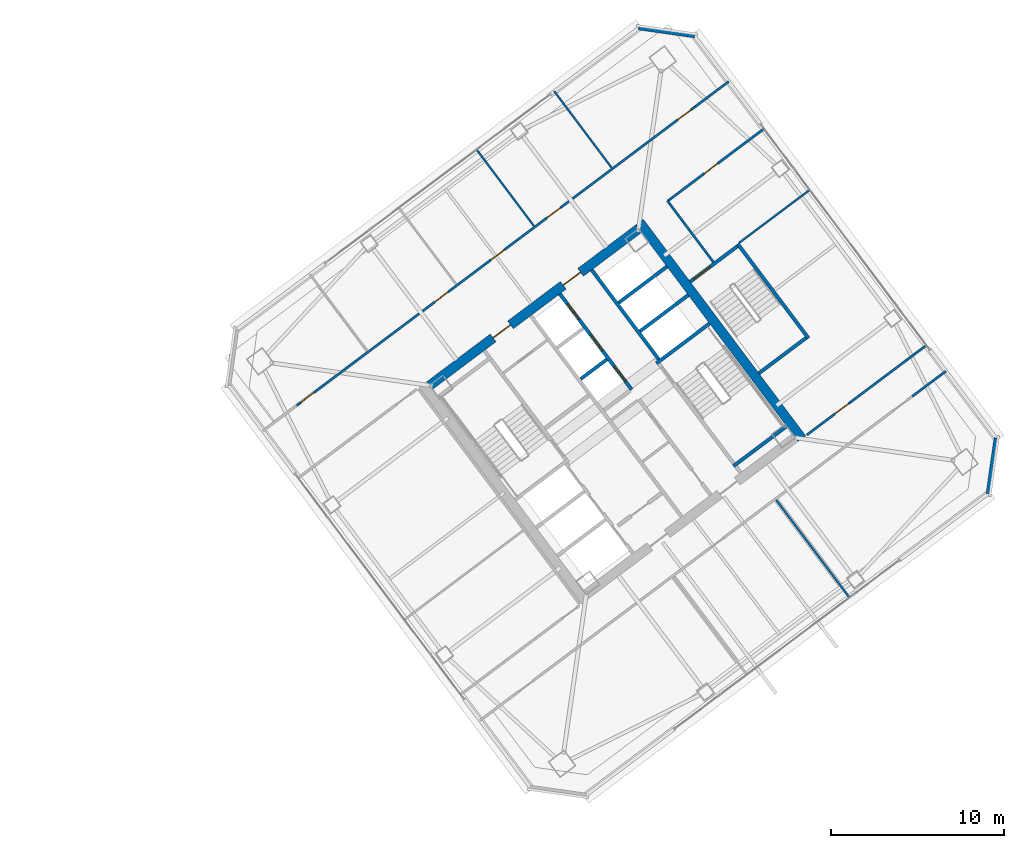
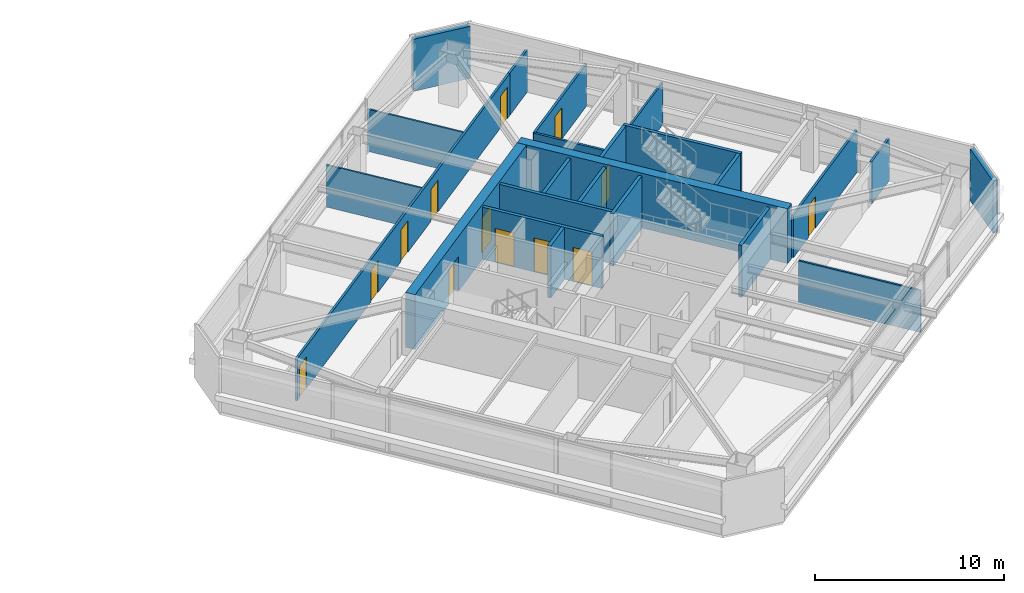
# One storey, part 35 of 42: 24 walls, 13 doors, 13 openings.
"""IFC4 building model written with IfcOpenShell, lengths in metres."""

from ifc_helpers import new_model, si_unit, direction, frame, frame_2d, origin, place, context, subcontext, project, spatial, rectangle, extrude, material, layer, layer_set, type_object, element, fill, save


model = new_model("IFC4")

# Units and contexts
model_context = context("Model", 3, precision=1e-05, world=origin(), true_north=direction((0.0, 1.0)))
body_context = subcontext(model_context, "Body", "Model", "MODEL_VIEW")
ifc_project = project(units=[si_unit("LENGTHUNIT", "METRE"), si_unit("AREAUNIT", "SQUARE_METRE"), si_unit("VOLUMEUNIT", "CUBIC_METRE"), si_unit("PLANEANGLEUNIT", "RADIAN"), si_unit("MASSUNIT", "GRAM", prefix="KILO")], contexts=[model_context])

# Site, building, storey
site_placement = place(None, origin())
site = spatial("IfcSite", under=ifc_project, at=site_placement, CompositionType="ELEMENT")
building_placement = place(site_placement, origin())
building = spatial("IfcBuilding", under=site, at=building_placement, Name="Tashvorn Skyway Center", CompositionType="ELEMENT")
storey_placement = place(building_placement, frame((0.0, 0.0, 164.10009765625)))
storey = spatial("IfcBuildingStorey", under=building, at=storey_placement, Name="L44", CompositionType="ELEMENT", Elevation=164.10009765625)

# Wall
ifc_material_1 = material(Name="Concrete C60/75", Category="concrete")
ifc_layer_1 = layer(ifc_material_1, 0.550048828125)
ifc_layer_set_1 = layer_set([ifc_layer_1], Name="Concrete C60/75")
wall_type_1 = type_object("IfcWallType", Name="WALL-CORE-550", PredefinedType="SHEAR", material=ifc_layer_set_1)
wall_1_placement = place(storey_placement, frame((115.56396484375, 42.923095703125, 0.0), z_axis=(0.0, 0.0, 1.0), x_axis=(0.600005007985, -0.799996243986, 0.0)))
element("IfcWall", 1, at=wall_1_placement, inside=storey, type_object=wall_type_1, Name="Tower 2 L44 East Core Shear Wall", PredefinedType="SHEAR", context=body_context, shape_type="SweptSolid", body=[
    extrude(rectangle(XDim=15.60009765625, YDim=0.550048828125, at=frame_2d((7.800048828125, 0.0))), origin(), (0.0, 0.0, 1.0), 3.5498046875),
])

# Wall, openings, doors
wall_2_placement = place(storey_placement, frame((103.4609375, 33.501953125, 0.0), z_axis=(0.0, 0.0, 1.0), x_axis=(0.799998054672, 0.600002593761, 0.0)))
wall_2 = element("IfcWall", 2, at=wall_2_placement, inside=storey, type_object=wall_type_1, Name="Tower 2 L44 North Core Shear Wall", PredefinedType="SHEAR", context=body_context, shape_type="SweptSolid", body=[
    extrude(rectangle(XDim=15.06005859375, YDim=0.550048828125, at=frame_2d((7.530029296875, 0.0))), origin(), (0.0, 0.0, 1.0), 3.5498046875),
])
opening_1_placement = place(wall_2_placement, frame((4.580078125, 0.0, 0.0)))
opening_1 = element("IfcOpeningElement", 3, at=opening_1_placement, cuts=wall_2, Name="Opening D-FFL-1250", PredefinedType="OPENING", context=body_context, shape_type="SweptSolid", body=[
    extrude(rectangle(XDim=1.25, YDim=2.25, at=frame_2d((0.625, 1.125))), frame((0.0, 0.284912109375, 0.0), z_axis=(0.0, -1.0, 0.0), x_axis=(1.0, 0.0, 0.0)), (0.0, 0.0, 1.0), 0.570068359375),
])
opening_2_placement = place(wall_2_placement, frame((9.6298828125, 0.0, 0.0)))
opening_2 = element("IfcOpeningElement", 4, at=opening_2_placement, cuts=wall_2, Name="Opening D-FFL-1250", PredefinedType="OPENING", context=body_context, shape_type="SweptSolid", body=[
    extrude(rectangle(XDim=1.25, YDim=2.25, at=frame_2d((0.625, 1.125))), frame((0.0, 0.284912109375, 0.0), z_axis=(0.0, -1.0, 0.0), x_axis=(1.0, 0.0, 0.0)), (0.0, 0.0, 1.0), 0.570068359375),
])
ifc_material_2 = material(Name="Hollow galvanized steel fire door assembly", Category="steel")
door_type_1 = type_object("IfcDoorType", Name="DOOR-FFL-1250", OperationType="NOTDEFINED", PredefinedType="DOOR", material=ifc_material_2)
door_1_placement = place(opening_1_placement, origin())
door_1 = element("IfcDoor", 5, at=door_1_placement, inside=storey, type_object=door_type_1, Name="Tower 2 L44 Core North Service Lobby Door", OperationType="SINGLE_SWING_LEFT", OverallHeight=2.25, OverallWidth=1.25, PredefinedType="DOOR", context=body_context, shape_type="SweptSolid", body=[
    extrude(rectangle(XDim=1.25, YDim=2.25, at=frame_2d((0.625, 1.125))), frame((0.0, 0.02490234375, 0.0), z_axis=(0.0, -1.0, 0.0), x_axis=(1.0, 0.0, 0.0)), (0.0, 0.0, 1.0), 0.050048828125),
])
fill(opening_1, door_1)
door_2_placement = place(opening_2_placement, origin())
door_2 = element("IfcDoor", 6, at=door_2_placement, inside=storey, type_object=door_type_1, Name="Tower 2 L44 Core North Lift Lobby Door", OperationType="SINGLE_SWING_RIGHT", OverallHeight=2.25, OverallWidth=1.25, PredefinedType="DOOR", context=body_context, shape_type="SweptSolid", body=[
    extrude(rectangle(XDim=1.25, YDim=2.25, at=frame_2d((0.625, 1.125))), frame((0.0, 0.02490234375, 0.0), z_axis=(0.0, -1.0, 0.0), x_axis=(1.0, 0.0, 0.0)), (0.0, 0.0, 1.0), 0.050048828125),
])
fill(opening_2, door_2)

# Walls
ifc_material_3 = material(Name="Precast concrete C40/50", Category="concrete")
ifc_layer_2 = layer(ifc_material_3, 0.280029296875)
ifc_layer_set_2 = layer_set([ifc_layer_2], Name="Precast concrete C40/50")
wall_type_2 = type_object("IfcWallType", Name="WALL-EXT-280", PredefinedType="SOLIDWALL", material=ifc_layer_set_2)
for number, where, z_axis, x_axis, name in (
    (7, (115.52001953125, 54.139892578125, 0.0), (0.0, 0.0, 1.0), (0.989950994782, -0.141410847992, 0.0), "Tower 2 L44 NE Precast Chamfer Wall"),
    (8, (136.139892578125, 30.47998046875, 0.0), (0.0, 0.0, 1.0), (-0.141410847992, -0.989950994782, 0.0), "Tower 2 L44 SE Precast Chamfer Wall"),
):
    element("IfcWall", number, at=place(storey_placement, frame(where, z_axis=z_axis, x_axis=x_axis)), inside=storey, type_object=wall_type_2, Name=name, PredefinedType="SOLIDWALL", context=body_context, shape_type="SweptSolid", body=[
        extrude(rectangle(XDim=3.252685546875, YDim=0.280029296875, at=frame_2d((1.62646484375, 0.0))), origin(), (0.0, 0.0, 1.0), 3.369873046875),
    ])
ifc_material_4 = material(Name="Gypsum board on cold-formed steel stud framing", Category="steel")
ifc_layer_3 = layer(ifc_material_4, 0.110107421875)
ifc_layer_set_3 = layer_set([ifc_layer_3], Name="Gypsum board on cold-formed steel stud framing")
wall_type_3 = type_object("IfcWallType", Name="WALL-PART-110", PredefinedType="PARTITIONING", material=ifc_layer_set_3)
wall_3_placement = place(storey_placement, frame((109.471923828125, 42.7041015625, 0.0), z_axis=(0.0, 0.0, 1.0), x_axis=(-0.599985794856, 0.800010653661, 0.0)))
element("IfcWall", 9, at=wall_3_placement, inside=storey, type_object=wall_type_3, Name="Tower 2 L44 North Suite Partition 3", PredefinedType="PARTITIONING", context=body_context, shape_type="SweptSolid", body=[
    extrude(rectangle(XDim=5.499755859375, YDim=0.110107421875, at=frame_2d((2.75, 0.0))), origin(), (0.0, 0.0, 1.0), 2.722900390625),
])
wall_4_placement = place(storey_placement, frame((113.951904296875, 46.06396484375, 0.0), z_axis=(0.0, 0.0, 1.0), x_axis=(-0.599964488045, 0.800026632735, 0.0)))
element("IfcWall", 10, at=wall_4_placement, inside=storey, type_object=wall_type_3, Name="Tower 2 L44 North Suite Partition 4", PredefinedType="PARTITIONING", context=body_context, shape_type="SweptSolid", body=[
    extrude(rectangle(XDim=5.5, YDim=0.110107421875, at=frame_2d((2.75, 0.0))), origin(), (0.0, 0.0, 1.0), 2.722900390625),
])
wall_5_placement = place(storey_placement, frame((127.66796875, 21.27587890625, 0.0), z_axis=(0.0, 0.0, 1.0), x_axis=(-0.6, 0.8, 0.0)))
element("IfcWall", 11, at=wall_5_placement, inside=storey, type_object=wall_type_3, Name="Tower 2 L44 South Suite Partition 2", PredefinedType="PARTITIONING", context=body_context, shape_type="SweptSolid", body=[
    extrude(rectangle(XDim=7.030029296875, YDim=0.110107421875, at=frame_2d((3.51513671875, 0.0))), origin(), (0.0, 0.0, 1.0), 2.722900390625),
])
wall_6_placement = place(storey_placement, frame((125.384033203125, 44.7880859375, 0.0), z_axis=(0.0, 0.0, 1.0), x_axis=(-0.8, -0.6, 0.0)))
element("IfcWall", 12, at=wall_6_placement, inside=storey, type_object=wall_type_3, Name="Tower 2 L44 East Suite Partition 1", PredefinedType="PARTITIONING", context=body_context, shape_type="SweptSolid", body=[
    extrude(rectangle(XDim=5.10009765625, YDim=0.110107421875, at=frame_2d((2.550048828125, 0.0))), origin(), (0.0, 0.0, 1.0), 2.722900390625),
])
ifc_layer_4 = layer(ifc_material_4, 0.135009765625)
ifc_layer_set_4 = layer_set([ifc_layer_4], Name="Gypsum board on cold-formed steel stud framing")
wall_type_4 = type_object("IfcWallType", Name="WALL-PART-135", PredefinedType="PARTITIONING", material=ifc_layer_set_4)
wall_7_placement = place(storey_placement, frame((119.823974609375, 40.617919921875, 0.0), z_axis=(0.0, 0.0, 1.0), x_axis=(-0.599982243973, 0.800013316712, 0.0)))
element("IfcWall", 13, at=wall_7_placement, inside=storey, type_object=wall_type_4, Name="Tower 2 L44 Stair 3 Access Corridor Wall", PredefinedType="PARTITIONING", context=body_context, shape_type="SweptSolid", body=[
    extrude(rectangle(XDim=4.39990234375, YDim=0.135009765625, at=frame_2d((2.199951171875, 0.0))), origin(), (0.0, 0.0, 1.0), 2.722900390625),
])

# Wall, openings, doors
wall_8_placement = place(storey_placement, frame((95.800048828125, 32.35009765625, 0.0), z_axis=(0.0, 0.0, 1.0), x_axis=(0.8, 0.6, 0.0)))
wall_8 = element("IfcWall", 14, at=wall_8_placement, inside=storey, type_object=wall_type_4, Name="Tower 2 L44 North Suite Wall", PredefinedType="PARTITIONING", context=body_context, shape_type="SweptSolid", body=[
    extrude(rectangle(XDim=28.699951171875, YDim=0.135009765625, at=frame_2d((14.35009765625, 0.0))), origin(), (0.0, 0.0, 1.0), 2.722900390625),
])
opening_3_placement = place(wall_8_placement, frame((0.300048828125, 0.0, 0.0)))
opening_3 = element("IfcOpeningElement", 15, at=opening_3_placement, cuts=wall_8, Name="Opening D-INT-950", PredefinedType="OPENING", context=body_context, shape_type="SweptSolid", body=[
    extrude(rectangle(XDim=0.949951171875, YDim=2.050048828125, at=frame_2d((0.47509765625, 1.02490234375))), frame((0.0, 0.077392578125, 0.0), z_axis=(0.0, -1.0, 0.0), x_axis=(1.0, 0.0, 0.0)), (0.0, 0.0, 1.0), 0.155029296875),
])
opening_4_placement = place(wall_8_placement, frame((9.95947265625, 0.0, 0.0)))
opening_4 = element("IfcOpeningElement", 16, at=opening_4_placement, cuts=wall_8, Name="Opening D-INT-950", PredefinedType="OPENING", context=body_context, shape_type="SweptSolid", body=[
    extrude(rectangle(XDim=0.949951171875, YDim=2.050048828125, at=frame_2d((0.47509765625, 1.02490234375))), frame((0.0, 0.077392578125, 0.0), z_axis=(0.0, -1.0, 0.0), x_axis=(1.0, 0.0, 0.0)), (0.0, 0.0, 1.0), 0.155029296875),
])
opening_5_placement = place(wall_8_placement, frame((14.004638671875, 0.0, 0.0)))
opening_5 = element("IfcOpeningElement", 17, at=opening_5_placement, cuts=wall_8, Name="Opening D-INT-950", PredefinedType="OPENING", context=body_context, shape_type="SweptSolid", body=[
    extrude(rectangle(XDim=0.949951171875, YDim=2.050048828125, at=frame_2d((0.47509765625, 1.02490234375))), frame((0.0, 0.077392578125, 0.0), z_axis=(0.0, -1.0, 0.0), x_axis=(1.0, 0.0, 0.0)), (0.0, 0.0, 1.0), 0.155029296875),
])
opening_6_placement = place(wall_8_placement, frame((18.048583984375, 0.0, 0.0)))
opening_6 = element("IfcOpeningElement", 18, at=opening_6_placement, cuts=wall_8, Name="Opening D-INT-950", PredefinedType="OPENING", context=body_context, shape_type="SweptSolid", body=[
    extrude(rectangle(XDim=0.949951171875, YDim=2.050048828125, at=frame_2d((0.47509765625, 1.02490234375))), frame((0.0, 0.077392578125, 0.0), z_axis=(0.0, -1.0, 0.0), x_axis=(1.0, 0.0, 0.0)), (0.0, 0.0, 1.0), 0.155029296875),
])
opening_7_placement = place(wall_8_placement, frame((27.449951171875, 0.0, 0.0)))
opening_7 = element("IfcOpeningElement", 19, at=opening_7_placement, cuts=wall_8, Name="Opening D-INT-950", PredefinedType="OPENING", context=body_context, shape_type="SweptSolid", body=[
    extrude(rectangle(XDim=0.949951171875, YDim=2.050048828125, at=frame_2d((0.47509765625, 1.02490234375))), frame((0.0, 0.077392578125, 0.0), z_axis=(0.0, -1.0, 0.0), x_axis=(1.0, 0.0, 0.0)), (0.0, 0.0, 1.0), 0.155029296875),
])
ifc_material_5 = material(Name="Solid-core architectural oak veneer door")
door_type_2 = type_object("IfcDoorType", Name="DOOR-INT-950", OperationType="NOTDEFINED", PredefinedType="DOOR", material=ifc_material_5)
door_3_placement = place(opening_3_placement, origin())
door_3 = element("IfcDoor", 20, at=door_3_placement, inside=storey, type_object=door_type_2, Name="Tower 2 L44 Research Library Door", OperationType="SINGLE_SWING_RIGHT", OverallHeight=2.050048828125, OverallWidth=0.949951171875, PredefinedType="DOOR", context=body_context, shape_type="SweptSolid", body=[
    extrude(rectangle(XDim=0.949951171875, YDim=2.050048828125, at=frame_2d((0.47509765625, 1.02490234375))), frame((0.0, 0.02490234375, 0.0), z_axis=(0.0, -1.0, 0.0), x_axis=(1.0, 0.0, 0.0)), (0.0, 0.0, 1.0), 0.050048828125),
])
fill(opening_3, door_3)
door_4_placement = place(opening_4_placement, origin())
door_4 = element("IfcDoor", 21, at=door_4_placement, inside=storey, type_object=door_type_2, Name="Tower 2 L44 Research Library Door", OperationType="SINGLE_SWING_LEFT", OverallHeight=2.050048828125, OverallWidth=0.949951171875, PredefinedType="DOOR", context=body_context, shape_type="SweptSolid", body=[
    extrude(rectangle(XDim=0.949951171875, YDim=2.050048828125, at=frame_2d((0.47509765625, 1.02490234375))), frame((0.0, 0.02490234375, 0.0), z_axis=(0.0, -1.0, 0.0), x_axis=(1.0, 0.0, 0.0)), (0.0, 0.0, 1.0), 0.050048828125),
])
fill(opening_4, door_4)
door_5_placement = place(opening_5_placement, origin())
door_5 = element("IfcDoor", 22, at=door_5_placement, inside=storey, type_object=door_type_2, Name="Tower 2 L44 Staff Fitness Club Door", OperationType="SINGLE_SWING_RIGHT", OverallHeight=2.050048828125, OverallWidth=0.949951171875, PredefinedType="DOOR", context=body_context, shape_type="SweptSolid", body=[
    extrude(rectangle(XDim=0.949951171875, YDim=2.050048828125, at=frame_2d((0.47509765625, 1.02490234375))), frame((0.0, 0.02490234375, 0.0), z_axis=(0.0, -1.0, 0.0), x_axis=(1.0, 0.0, 0.0)), (0.0, 0.0, 1.0), 0.050048828125),
])
fill(opening_5, door_5)
door_6_placement = place(opening_6_placement, origin())
door_6 = element("IfcDoor", 23, at=door_6_placement, inside=storey, type_object=door_type_2, Name="Tower 2 L44 Research Library Door", OperationType="SINGLE_SWING_LEFT", OverallHeight=2.050048828125, OverallWidth=0.949951171875, PredefinedType="DOOR", context=body_context, shape_type="SweptSolid", body=[
    extrude(rectangle(XDim=0.949951171875, YDim=2.050048828125, at=frame_2d((0.47509765625, 1.02490234375))), frame((0.0, 0.02490234375, 0.0), z_axis=(0.0, -1.0, 0.0), x_axis=(1.0, 0.0, 0.0)), (0.0, 0.0, 1.0), 0.050048828125),
])
fill(opening_6, door_6)
door_7_placement = place(opening_7_placement, origin())
door_7 = element("IfcDoor", 24, at=door_7_placement, inside=storey, type_object=door_type_2, Name="Tower 2 L44 Research Library Door", OperationType="SINGLE_SWING_RIGHT", OverallHeight=2.050048828125, OverallWidth=0.949951171875, PredefinedType="DOOR", context=body_context, shape_type="SweptSolid", body=[
    extrude(rectangle(XDim=0.949951171875, YDim=2.050048828125, at=frame_2d((0.47509765625, 1.02490234375))), frame((0.0, 0.02490234375, 0.0), z_axis=(0.0, -1.0, 0.0), x_axis=(1.0, 0.0, 0.0)), (0.0, 0.0, 1.0), 0.050048828125),
])
fill(opening_7, door_7)

# Walls
for number, where, z_axis, x_axis, name in (
    (25, (118.760009765625, 49.570068359375, 0.0), (0.0, 0.0, 1.0), (0.800012055778, 0.599983925293, 0.0), "Tower 2 L44 North-East Suite South Wall"),
    (26, (131.281982421875, 32.8740234375, 0.0), (0.0, 0.0, 1.0), (0.800012055778, 0.599983925293, 0.0), "Tower 2 L44 South-East Suite North Wall"),
):
    element("IfcWall", number, at=place(storey_placement, frame(where, z_axis=z_axis, x_axis=x_axis)), inside=storey, type_object=wall_type_4, Name=name, PredefinedType="PARTITIONING", context=body_context, shape_type="SweptSolid", body=[
        extrude(rectangle(XDim=2.43017578125, YDim=0.135009765625, at=frame_2d((1.215087890625, 0.0))), origin(), (0.0, 0.0, 1.0), 2.722900390625),
    ])

# Wall, opening, door
wall_9_placement = place(storey_placement, frame((122.743896484375, 48.30810546875, 0.0), z_axis=(0.0, 0.0, 1.0), x_axis=(-0.79997892247, -0.600028102345, 0.0)))
wall_9 = element("IfcWall", 27, at=wall_9_placement, inside=storey, type_object=wall_type_4, Name="Tower 2 L44 East Suite North Wall", PredefinedType="PARTITIONING", context=body_context, shape_type="SweptSolid", body=[
    extrude(rectangle(XDim=6.949951171875, YDim=0.135009765625, at=frame_2d((3.47509765625, 0.0))), origin(), (0.0, 0.0, 1.0), 2.722900390625),
])
opening_8_placement = place(wall_9_placement, frame((3.35009765625, 0.0, 0.0)))
opening_8 = element("IfcOpeningElement", 28, at=opening_8_placement, cuts=wall_9, Name="Opening D-INT-950", PredefinedType="OPENING", context=body_context, shape_type="SweptSolid", body=[
    extrude(rectangle(XDim=0.949951171875, YDim=2.050048828125, at=frame_2d((0.47509765625, 1.02490234375))), frame((0.0, 0.077392578125, 0.0), z_axis=(0.0, -1.0, 0.0), x_axis=(1.0, 0.0, 0.0)), (0.0, 0.0, 1.0), 0.155029296875),
])
door_8_placement = place(opening_8_placement, origin())
door_8 = element("IfcDoor", 29, at=door_8_placement, inside=storey, type_object=door_type_2, Name="Tower 2 L44 Research Library Door", OperationType="SINGLE_SWING_RIGHT", OverallHeight=2.050048828125, OverallWidth=0.949951171875, PredefinedType="DOOR", context=body_context, shape_type="SweptSolid", body=[
    extrude(rectangle(XDim=0.949951171875, YDim=2.050048828125, at=frame_2d((0.47509765625, 1.02490234375))), frame((0.0, 0.02490234375, 0.0), z_axis=(0.0, -1.0, 0.0), x_axis=(1.0, 0.0, 0.0)), (0.0, 0.0, 1.0), 0.050048828125),
])
fill(opening_8, door_8)

wall_10_placement = place(storey_placement, frame((125.2080078125, 30.656005859375, 0.0), z_axis=(0.0, 0.0, 1.0), x_axis=(0.800006797429, 0.599990936654, 0.0)))
wall_10 = element("IfcWall", 30, at=wall_10_placement, inside=storey, type_object=wall_type_4, Name="Tower 2 L44 East Suite South Wall", PredefinedType="PARTITIONING", context=body_context, shape_type="SweptSolid", body=[
    extrude(rectangle(XDim=8.619873046875, YDim=0.135009765625, at=frame_2d((4.31005859375, 0.0))), origin(), (0.0, 0.0, 1.0), 2.722900390625),
])
opening_9_placement = place(wall_10_placement, frame((2.044921875, 0.0, 0.0)))
opening_9 = element("IfcOpeningElement", 31, at=opening_9_placement, cuts=wall_10, Name="Opening D-INT-950", PredefinedType="OPENING", context=body_context, shape_type="SweptSolid", body=[
    extrude(rectangle(XDim=0.949951171875, YDim=2.050048828125, at=frame_2d((0.47509765625, 1.02490234375))), frame((0.0, 0.077392578125, 0.0), z_axis=(0.0, -1.0, 0.0), x_axis=(1.0, 0.0, 0.0)), (0.0, 0.0, 1.0), 0.155029296875),
])
door_9_placement = place(opening_9_placement, origin())
door_9 = element("IfcDoor", 32, at=door_9_placement, inside=storey, type_object=door_type_2, Name="Tower 2 L44 Public Restroom Door", OperationType="SINGLE_SWING_LEFT", OverallHeight=2.050048828125, OverallWidth=0.949951171875, PredefinedType="DOOR", context=body_context, shape_type="SweptSolid", body=[
    extrude(rectangle(XDim=0.949951171875, YDim=2.050048828125, at=frame_2d((0.47509765625, 1.02490234375))), frame((0.0, 0.02490234375, 0.0), z_axis=(0.0, -1.0, 0.0), x_axis=(1.0, 0.0, 0.0)), (0.0, 0.0, 1.0), 0.050048828125),
])
fill(opening_9, door_9)

# Walls
ifc_material_6 = material(Name="Concrete C40/50", Category="concrete")
ifc_layer_5 = layer(ifc_material_6, 0.199951171875)
ifc_layer_set_5 = layer_set([ifc_layer_5], Name="Concrete C40/50")
wall_type_5 = type_object("IfcWallType", Name="WALL-SHAFT-200", PredefinedType="SOLIDWALL", material=ifc_layer_set_5)
for number, where, z_axis, x_axis, name in (
    (33, (115.590087890625, 36.6298828125, 0.0), (0.0, 0.0, 1.0), (0.799974743577, 0.600033673754, 0.0), "Tower 2 L44 High-Rise Shaft Divider"),
    (34, (114.360107421875, 38.27001953125, 0.0), (0.0, 0.0, 1.0), (0.800008418847, 0.599988774707, 0.0), "Tower 2 L44 High-Rise Shaft Divider"),
):
    element("IfcWall", number, at=place(storey_placement, frame(where, z_axis=z_axis, x_axis=x_axis)), inside=storey, type_object=wall_type_5, Name=name, PredefinedType="SOLIDWALL", context=body_context, shape_type="SweptSolid", body=[
        extrude(rectangle(XDim=3.47998046875, YDim=0.199951171875, at=frame_2d((1.739990234375, 0.0))), origin(), (0.0, 0.0, 1.0), 3.369873046875),
    ])

# Wall, openings, doors
wall_11_placement = place(storey_placement, frame((115.110107421875, 33.27001953125, 0.0), z_axis=(0.0, 0.0, 1.0), x_axis=(-0.600011322243, 0.799991508192, 0.0)))
wall_11 = element("IfcWall", 35, at=wall_11_placement, inside=storey, type_object=wall_type_5, Name="Tower 2 L44 Mid-Rise Core Wall", PredefinedType="SOLIDWALL", context=body_context, shape_type="SweptSolid", body=[
    extrude(rectangle(XDim=6.900146484375, YDim=0.199951171875, at=frame_2d((3.4501953125, 0.0))), origin(), (0.0, 0.0, 1.0), 3.369873046875),
])
opening_10_placement = place(wall_11_placement, frame((0.574951171875, 0.0, 0.0)))
opening_10 = element("IfcOpeningElement", 36, at=opening_10_placement, cuts=wall_11, Name="Opening LD-MR-T2-1-L44", PredefinedType="OPENING", context=body_context, shape_type="SweptSolid", body=[
    extrude(rectangle(XDim=1.10009765625, YDim=2.199951171875, at=frame_2d((0.550048828125, 1.10009765625))), frame((0.0, 0.10986328125, 0.0), z_axis=(0.0, -1.0, 0.0), x_axis=(1.0, 0.0, 0.0)), (0.0, 0.0, 1.0), 0.219970703125),
])
opening_11_placement = place(wall_11_placement, frame((2.824951171875, 0.0, 0.0)))
opening_11 = element("IfcOpeningElement", 37, at=opening_11_placement, cuts=wall_11, Name="Opening LD-MR-T2-2-L44", PredefinedType="OPENING", context=body_context, shape_type="SweptSolid", body=[
    extrude(rectangle(XDim=1.10009765625, YDim=2.199951171875, at=frame_2d((0.550048828125, 1.10009765625))), frame((0.0, 0.10986328125, 0.0), z_axis=(0.0, -1.0, 0.0), x_axis=(1.0, 0.0, 0.0)), (0.0, 0.0, 1.0), 0.219970703125),
])
opening_12_placement = place(wall_11_placement, frame((5.074951171875, 0.0, 0.0)))
opening_12 = element("IfcOpeningElement", 38, at=opening_12_placement, cuts=wall_11, Name="Opening LD-MR-T2-3-L44", PredefinedType="OPENING", context=body_context, shape_type="SweptSolid", body=[
    extrude(rectangle(XDim=1.10009765625, YDim=2.199951171875, at=frame_2d((0.550048828125, 1.10009765625))), frame((0.0, 0.10986328125, 0.0), z_axis=(0.0, -1.0, 0.0), x_axis=(1.0, 0.0, 0.0)), (0.0, 0.0, 1.0), 0.219970703125),
])
ifc_material_7 = material(Name="Stainless steel landing door", Category="steel")
door_type_3 = type_object("IfcDoorType", Name="DOOR-LIFT-1100", OperationType="SLIDING_TO_LEFT", PredefinedType="DOOR", material=ifc_material_7)
door_10_placement = place(opening_10_placement, origin())
door_10 = element("IfcDoor", 39, at=door_10_placement, inside=storey, type_object=door_type_3, Name="Lift MR-T2-1 L44 Landing Door", OperationType="SLIDING_TO_LEFT", OverallHeight=2.199951171875, OverallWidth=1.10009765625, PredefinedType="DOOR", context=body_context, shape_type="SweptSolid", body=[
    extrude(rectangle(XDim=1.10009765625, YDim=2.199951171875, at=frame_2d((0.550048828125, 1.10009765625))), frame((0.0, 0.02490234375, 0.0), z_axis=(0.0, -1.0, 0.0), x_axis=(1.0, 0.0, 0.0)), (0.0, 0.0, 1.0), 0.050048828125),
])
fill(opening_10, door_10)
door_11_placement = place(opening_11_placement, origin())
door_11 = element("IfcDoor", 40, at=door_11_placement, inside=storey, type_object=door_type_3, Name="Lift MR-T2-2 L44 Landing Door", OperationType="SLIDING_TO_LEFT", OverallHeight=2.199951171875, OverallWidth=1.10009765625, PredefinedType="DOOR", context=body_context, shape_type="SweptSolid", body=[
    extrude(rectangle(XDim=1.10009765625, YDim=2.199951171875, at=frame_2d((0.550048828125, 1.10009765625))), frame((0.0, 0.02490234375, 0.0), z_axis=(0.0, -1.0, 0.0), x_axis=(1.0, 0.0, 0.0)), (0.0, 0.0, 1.0), 0.050048828125),
])
fill(opening_11, door_11)
door_12_placement = place(opening_12_placement, origin())
door_12 = element("IfcDoor", 41, at=door_12_placement, inside=storey, type_object=door_type_3, Name="Lift MR-T2-3 L44 Landing Door", OperationType="SLIDING_TO_LEFT", OverallHeight=2.199951171875, OverallWidth=1.10009765625, PredefinedType="DOOR", context=body_context, shape_type="SweptSolid", body=[
    extrude(rectangle(XDim=1.10009765625, YDim=2.199951171875, at=frame_2d((0.550048828125, 1.10009765625))), frame((0.0, 0.02490234375, 0.0), z_axis=(0.0, -1.0, 0.0), x_axis=(1.0, 0.0, 0.0)), (0.0, 0.0, 1.0), 0.050048828125),
])
fill(opening_12, door_12)

# Walls
wall_12_placement = place(storey_placement, frame((112.176025390625, 33.882080078125, 0.0), z_axis=(0.0, 0.0, 1.0), x_axis=(0.8, 0.6, 0.0)))
element("IfcWall", 42, at=wall_12_placement, inside=storey, type_object=wall_type_5, Name="Tower 2 L44 Mid-Rise Shaft Divider", PredefinedType="SOLIDWALL", context=body_context, shape_type="SweptSolid", body=[
    extrude(rectangle(XDim=1.8798828125, YDim=0.199951171875, at=frame_2d((0.93994140625, 0.0))), origin(), (0.0, 0.0, 1.0), 3.369873046875),
])
ifc_layer_6 = layer(ifc_material_6, 0.199951171875)
ifc_layer_set_6 = layer_set([ifc_layer_6], Name="Concrete C40/50")
wall_type_6 = type_object("IfcWallType", Name="WALL-STSHF-200", PredefinedType="SHEAR", material=ifc_layer_set_6)
for number, where, z_axis, x_axis, name in (
    (43, (116.5400390625, 34.780029296875, 0.0), (0.0, 0.0, 1.0), (0.800015298837, 0.599979601008, 0.0), "Tower 2 L44 Stair 2 North Wall"),
    (44, (120.97998046875, 28.860107421875, 0.0), (0.0, 0.0, 1.0), (0.800015298837, 0.599979601008, 0.0), "Tower 2 L44 Stair 2 South Wall"),
):
    element("IfcWall", number, at=place(storey_placement, frame(where, z_axis=z_axis, x_axis=x_axis)), inside=storey, type_object=wall_type_6, Name=name, PredefinedType="SHEAR", context=body_context, shape_type="SweptSolid", body=[
        extrude(rectangle(XDim=3.829833984375, YDim=0.199951171875, at=frame_2d((1.9150390625, 0.0))), origin(), (0.0, 0.0, 1.0), 3.369873046875),
    ])
wall_13_placement = place(storey_placement, frame((112.81005859375, 40.169921875, 0.0), z_axis=(0.0, 0.0, 1.0), x_axis=(0.599993943644, -0.800004542231, 0.0)))
element("IfcWall", 45, at=wall_13_placement, inside=storey, type_object=wall_type_6, Name="Tower 2 L44 High-Rise Lift Shaft Front Wall", PredefinedType="SHEAR", context=body_context, shape_type="SweptSolid", body=[
    extrude(rectangle(XDim=6.449951171875, YDim=0.199951171875, at=frame_2d((3.22509765625, 0.0))), origin(), (0.0, 0.0, 1.0), 3.369873046875),
])
wall_14_placement = place(storey_placement, frame((125.303955078125, 36.22802734375, 0.0), z_axis=(0.0, 0.0, 1.0), x_axis=(-0.59998851072, 0.800008616831, 0.0)))
element("IfcWall", 46, at=wall_14_placement, inside=storey, type_object=wall_type_6, Name="Tower 2 L44 Stair 3 Outer Wall", PredefinedType="SHEAR", context=body_context, shape_type="SweptSolid", body=[
    extrude(rectangle(XDim=6.7998046875, YDim=0.199951171875, at=frame_2d((3.39990234375, 0.0))), origin(), (0.0, 0.0, 1.0), 3.369873046875),
])

# Wall, opening, door
wall_15_placement = place(storey_placement, frame((121.2041015625, 41.528076171875, 0.0), z_axis=(0.0, 0.0, 1.0), x_axis=(-0.800017232136, -0.599977023131, 0.0)))
wall_15 = element("IfcWall", 47, at=wall_15_placement, inside=storey, type_object=wall_type_6, Name="Tower 2 L44 Stair 3 Enclosure Wall", PredefinedType="SHEAR", context=body_context, shape_type="SweptSolid", body=[
    extrude(rectangle(XDim=3.400146484375, YDim=0.199951171875, at=frame_2d((1.7001953125, 0.0))), origin(), (0.0, 0.0, 1.0), 3.369873046875),
])
opening_13_placement = place(wall_15_placement, frame((1.97509765625, 0.0, 0.0)))
opening_13 = element("IfcOpeningElement", 48, at=opening_13_placement, cuts=wall_15, Name="Opening D-ST-1150", PredefinedType="OPENING", context=body_context, shape_type="SweptSolid", body=[
    extrude(rectangle(XDim=1.14990234375, YDim=2.199951171875, at=frame_2d((0.574951171875, 1.10009765625))), frame((0.0, 0.10986328125, 0.0), z_axis=(0.0, -1.0, 0.0), x_axis=(1.0, 0.0, 0.0)), (0.0, 0.0, 1.0), 0.219970703125),
])
door_type_4 = type_object("IfcDoorType", Name="DOOR-STAIR-1150", OperationType="NOTDEFINED", PredefinedType="DOOR", material=ifc_material_2)
door_13_placement = place(opening_13_placement, origin())
door_13 = element("IfcDoor", 49, at=door_13_placement, inside=storey, type_object=door_type_4, Name="Tower 2 L44 Exit Stair 3 Door", OperationType="SINGLE_SWING_RIGHT", OverallHeight=2.199951171875, OverallWidth=1.14990234375, PredefinedType="DOOR", context=body_context, shape_type="SweptSolid", body=[
    extrude(rectangle(XDim=1.14990234375, YDim=2.199951171875, at=frame_2d((0.574951171875, 1.10009765625))), frame((0.0, 0.02490234375, 0.0), z_axis=(0.0, -1.0, 0.0), x_axis=(1.0, 0.0, 0.0)), (0.0, 0.0, 1.0), 0.050048828125),
])
fill(opening_13, door_13)

# Wall
wall_16_placement = place(storey_placement, frame((122.444091796875, 34.2080078125, 0.0), z_axis=(0.0, 0.0, 1.0), x_axis=(0.79999138319, 0.600011488909, 0.0)))
element("IfcWall", 50, at=wall_16_placement, inside=storey, type_object=wall_type_6, Name="Tower 2 L44 Stair 3 South Wall", PredefinedType="SHEAR", context=body_context, shape_type="SweptSolid", body=[
    extrude(rectangle(XDim=3.39990234375, YDim=0.199951171875, at=frame_2d((1.699951171875, 0.0))), origin(), (0.0, 0.0, 1.0), 3.369873046875),
])

save(model, "model.ifc")
